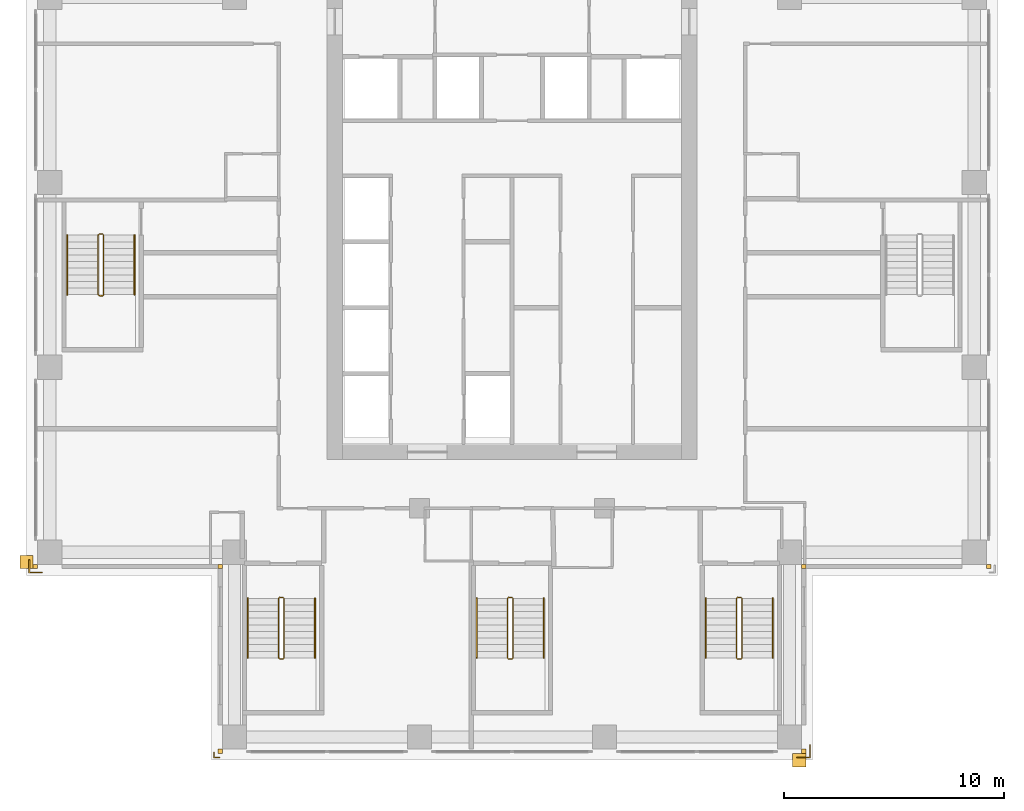
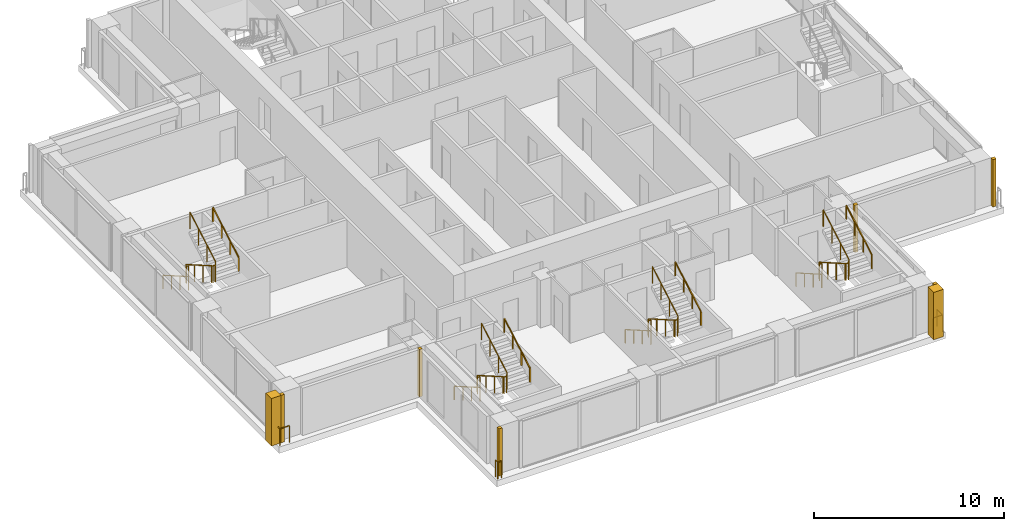
# One storey, part 14 of 16: 15 railings, 8 coverings.
"""IFC4 building model written with IfcOpenShell, lengths in metres."""

import ifcopenshell
import ifcopenshell.guid

model = None  # the IFC model being written
_history = None  # IfcOwnerHistory: only IFC2X3 demands one
_inside = {}  # id of a spatial element -> (the spatial element, [elements in it])
_under = {}  # id of a project, library or spatial element -> (it, [spatial elements below it])
_declared = {}  # id of a project -> (the project, [libraries it declares])
_typed = {}  # id of a type object -> (the type object, [elements of that type])
_made_of = {}  # id of a material, layer set ... -> (it, [elements and type objects made of it])


def new_model(schema):
    """Start an empty IFC model of exactly this schema.

    Asked for "IFC4X3", IfcOpenShell would pick the latest addendum, in which some entities
    have other attributes; the version numbers below select the first issue.
    IFC2X3 requires an IfcOwnerHistory on every rooted entity: one is made here for all.
    """
    global model, _history
    if schema == "IFC4X3":
        model = ifcopenshell.file(schema_version=(4, 3, 0, 0))
    else:
        model = ifcopenshell.file(schema=schema)
    _inside.clear()
    _under.clear()
    _declared.clear()
    _typed.clear()
    _made_of.clear()
    _history = None
    if model.schema == "IFC2X3":
        org = make("IfcOrganization", Name="unknown")
        user = make(
            "IfcPersonAndOrganization",
            ThePerson=make("IfcPerson", FamilyName="unknown"),
            TheOrganization=org,
        )
        app = make(
            "IfcApplication",
            ApplicationDeveloper=org,
            Version="unknown",
            ApplicationFullName="unknown",
            ApplicationIdentifier="unknown",
        )
        _history = make(
            "IfcOwnerHistory",
            OwningUser=user,
            OwningApplication=app,
            ChangeAction="ADDED",
            CreationDate=0,
        )
    return model


def make(cls, **values):
    """One entity of the class cls with the attributes given. An attribute that is None is left unset."""
    return model.create_entity(
        cls, **{name: value for name, value in values.items() if value is not None}
    )


def rooted(cls, **values):
    """An entity with a GlobalId (a new one), such as an element, a storey or a relation."""
    return make(cls, GlobalId=ifcopenshell.guid.new(), OwnerHistory=_history, **values)


def si_unit(unit_type, name, prefix=None):
    """IfcSIUnit, for example si_unit("LENGTHUNIT", "METRE", prefix="MILLI")."""
    return make("IfcSIUnit", UnitType=unit_type, Prefix=prefix, Name=name)


def assignment(units):
    """IfcUnitAssignment: the units of a project."""
    return None if units is None else make("IfcUnitAssignment", Units=units)


def point(xyz):
    """IfcCartesianPoint."""
    return None if xyz is None else make("IfcCartesianPoint", Coordinates=xyz)


def direction(xyz):
    """IfcDirection."""
    return None if xyz is None else make("IfcDirection", DirectionRatios=xyz)


def frame(location, z_axis=None, x_axis=None):
    """IfcAxis2Placement3D, a coordinate frame: its origin and axes. An axis left out is left unset."""
    return make(
        "IfcAxis2Placement3D",
        Location=point(location),
        Axis=direction(z_axis),
        RefDirection=direction(x_axis),
    )


def frame_2d(location, x_axis=None):
    """IfcAxis2Placement2D, a coordinate frame in the plane: its origin and x axis."""
    return make(
        "IfcAxis2Placement2D", Location=point(location), RefDirection=direction(x_axis)
    )


def origin():
    """The frame at (0, 0, 0) with its axes left unset."""
    return frame((0.0, 0.0, 0.0))


def origin_2d():
    """The frame at (0, 0) in the plane with its x axis left unset."""
    return frame_2d((0.0, 0.0))


def place(relative_to, where):
    """IfcLocalPlacement: puts the frame where relative to a parent placement (None: the world)."""
    return make(
        "IfcLocalPlacement", PlacementRelTo=relative_to, RelativePlacement=where
    )


def context(
    kind, dimensions, precision=None, world=None, true_north=None, identifier=None
):
    """IfcGeometricRepresentationContext, for example the 3D "Model" context."""
    return make(
        "IfcGeometricRepresentationContext",
        ContextIdentifier=identifier,
        ContextType=kind,
        CoordinateSpaceDimension=dimensions,
        Precision=precision,
        WorldCoordinateSystem=world,
        TrueNorth=true_north,
    )


def subcontext(parent, identifier, kind, view, scale=None):
    """IfcGeometricRepresentationSubContext, for example "Body" below "Model"."""
    return make(
        "IfcGeometricRepresentationSubContext",
        ContextIdentifier=identifier,
        ContextType=kind,
        ParentContext=parent,
        TargetScale=scale,
        TargetView=view,
    )


def project(units=None, contexts=None):
    """IfcProject with its units and contexts."""
    return rooted(
        "IfcProject",
        Name="project",
        RepresentationContexts=contexts,
        UnitsInContext=assignment(units),
    )


def spatial(cls, under=None, at=None, **own):
    """A site, building, storey or space (cls), placed at a placement, below another one or the project."""
    s = rooted(cls, ObjectPlacement=at, **own)
    if under is not None:
        _under.setdefault(under.id(), (under, []))[1].append(s)
    return s


def polyline(points):
    """IfcPolyline through the points."""
    return make("IfcPolyline", Points=[point(p) for p in points])


def profile(cls, at=None, kind="AREA", **sizes):
    """A parametric profile (cls). Its sizes go by their IFC names, for example OverallWidth=200.0."""
    return make(cls, ProfileType=kind, Position=at, **sizes)


def rectangle(**sizes):
    """IfcRectangleProfileDef."""
    return profile("IfcRectangleProfileDef", **sizes)


def outline(outer, holes=None, kind="AREA"):
    """IfcArbitraryClosedProfileDef: a profile drawn as a closed curve; with holes, ...WithVoids."""
    if holes is None:
        return make("IfcArbitraryClosedProfileDef", ProfileType=kind, OuterCurve=outer)
    return make(
        "IfcArbitraryProfileDefWithVoids",
        ProfileType=kind,
        OuterCurve=outer,
        InnerCurves=holes,
    )


def extrude(swept, where, along, depth):
    """IfcExtrudedAreaSolid: the profile swept, set in the frame where, extruded along a direction by depth."""
    return make(
        "IfcExtrudedAreaSolid",
        SweptArea=swept,
        Position=where,
        ExtrudedDirection=direction(along),
        Depth=depth,
    )


def shape(context_of_items, identifier, shape_type, items):
    """IfcShapeRepresentation: the items that make up one representation, for example the "Body"."""
    return make(
        "IfcShapeRepresentation",
        ContextOfItems=context_of_items,
        RepresentationIdentifier=identifier,
        RepresentationType=shape_type,
        Items=items,
    )


def material(Name=None, Category=None):
    """IfcMaterial."""
    return make("IfcMaterial", Name=Name, Category=Category)


def made_of(thing, what):
    """Note that an element or type object is made of a material, layer set ...; save() writes the relation."""
    if what is not None:
        _made_of.setdefault(what.id(), (what, []))[1].append(thing)
    return thing


def type_object(cls, material=None, **own):
    """A type object (cls), such as IfcWallType, which elements share."""
    return made_of(rooted(cls, **own), material)


def element(
    cls,
    number,
    at=None,
    inside=None,
    cuts=None,
    type_object=None,
    material=None,
    context=None,
    identifier="Body",
    shape_type=None,
    held_by="IfcProductDefinitionShape",
    body=None,
    shapes=None,
    **own,
):
    """One element of the class cls, such as IfcWall. Its Tag is "e" and its number.

    at: its placement. inside: the storey or other place that contains it. cuts: it is an
    opening in that element (IfcRelVoidsElement). A single representation is given by context,
    identifier, shape_type and body (its items); several are given by shapes. held_by: the class
    of the entity that holds the representations. save() writes the other relations.
    """
    e = rooted(cls, Tag="e%d" % number, ObjectPlacement=at, **own)
    if body is not None:
        shapes = [shape(context, identifier, shape_type, body)]
    if shapes is not None:
        e.Representation = make(held_by, Representations=shapes)
    if inside is not None:
        _inside.setdefault(inside.id(), (inside, []))[1].append(e)
    if cuts is not None:
        rooted(
            "IfcRelVoidsElement", RelatingBuildingElement=cuts, RelatedOpeningElement=e
        )
    if type_object is not None:
        _typed.setdefault(type_object.id(), (type_object, []))[1].append(e)
    return made_of(e, material)


def aggregate(whole, parts):
    """IfcRelAggregates: a whole, such as a stair, and the parts it consists of."""
    return rooted("IfcRelAggregates", RelatingObject=whole, RelatedObjects=parts)


def save(model, path):
    """Write the relations noted so far, then the file.

    IfcRelAggregates (storeys below a building ...), IfcRelContainedInSpatialStructure (elements
    in a storey), IfcRelDefinesByType, IfcRelAssociatesMaterial and IfcRelDeclares: one each for
    every whole, place, type object, material and project.
    """
    for whole, parts in _under.values():
        aggregate(whole, parts)
    for where, things in _inside.values():
        rooted(
            "IfcRelContainedInSpatialStructure",
            RelatedElements=things,
            RelatingStructure=where,
        )
    for kind, things in _typed.values():
        rooted("IfcRelDefinesByType", RelatedObjects=things, RelatingType=kind)
    for what, things in _made_of.values():
        rooted("IfcRelAssociatesMaterial", RelatedObjects=things, RelatingMaterial=what)
    for by, libraries in _declared.values():
        rooted("IfcRelDeclares", RelatingContext=by, RelatedDefinitions=libraries)
    model.write(path)


model = new_model("IFC4")

# Units and contexts
model_context = context("Model", 3, precision=1e-05, world=origin(), true_north=direction((0.0, 1.0)))
body_context = subcontext(model_context, "Body", "Model", "MODEL_VIEW")
ifc_project = project(units=[si_unit("LENGTHUNIT", "METRE"), si_unit("AREAUNIT", "SQUARE_METRE"), si_unit("VOLUMEUNIT", "CUBIC_METRE"), si_unit("PLANEANGLEUNIT", "RADIAN"), si_unit("MASSUNIT", "GRAM", prefix="KILO")], contexts=[model_context])

# Site, building, storey
site_placement = place(None, origin())
site = spatial("IfcSite", under=ifc_project, at=site_placement, CompositionType="ELEMENT")
building_placement = place(site_placement, origin())
building = spatial("IfcBuilding", under=site, at=building_placement, Name="Vermilion Ogive Tower", CompositionType="ELEMENT")
storey_placement = place(building_placement, frame((0.0, 0.0, 136.550048828125)))
storey = spatial("IfcBuildingStorey", under=building, at=storey_placement, Name="L34", CompositionType="ELEMENT", Elevation=136.550048828125)

# Railings
ifc_material_1 = material(Name="Stainless steel", Category="steel")
railing_type_1 = type_object("IfcRailingType", Name="Slab edge guard SG1", PredefinedType="GUARDRAIL", material=ifc_material_1)
railing_1_placement = place(storey_placement, frame((-13.300048828125, -21.929931640625, 0.0)))
element("IfcRailing", 1, at=railing_1_placement, inside=storey, type_object=railing_type_1, Name="L34 slab corner guard", PredefinedType="GUARDRAIL", context=body_context, shape_type="SweptSolid", body=[
    extrude(rectangle(XDim=0.050048828125, YDim=0.050048828125, at=origin_2d()), frame((0.0, 0.0, 1.0751953125), z_axis=(-1.0, 0.0, 0.0), x_axis=(0.0, -1.0, 0.0)), (0.0, 0.0, 1.0), 0.22998046875),
    extrude(rectangle(XDim=0.050048828125, YDim=0.050048828125, at=origin_2d()), frame((-0.22998046875, 0.0, 1.0751953125), z_axis=(0.0, 1.0, 0.0), x_axis=(-1.0, 0.0, 0.0)), (0.0, 0.0, 1.0), 0.22998046875),
    extrude(rectangle(XDim=0.050048828125, YDim=0.050048828125, at=origin_2d()), origin(), (0.0, 0.0, 1.0), 1.050048828125),
    extrude(rectangle(XDim=0.050048828125, YDim=0.050048828125, at=origin_2d()), frame((-0.22998046875, 0.0, 0.0)), (0.0, 0.0, 1.0), 1.050048828125),
    extrude(rectangle(XDim=0.050048828125, YDim=0.050048828125, at=origin_2d()), frame((-0.22998046875, 0.22998046875, 0.0)), (0.0, 0.0, 1.0), 1.050048828125),
])
railing_2_placement = place(storey_placement, frame((12.949951171875, -21.929931640625, 0.0)))
element("IfcRailing", 2, at=railing_2_placement, inside=storey, type_object=railing_type_1, Name="L34 slab corner guard", PredefinedType="GUARDRAIL", context=body_context, shape_type="SweptSolid", body=[
    extrude(rectangle(XDim=0.050048828125, YDim=0.050048828125, at=origin_2d()), frame((0.0, 0.0, 1.0751953125), z_axis=(1.0, 0.0, 0.0), x_axis=(0.0, 1.0, 0.0)), (0.0, 0.0, 1.0), 0.580078125),
    extrude(rectangle(XDim=0.050048828125, YDim=0.050048828125, at=origin_2d()), frame((0.580078125, 0.0, 1.0751953125), z_axis=(0.0, 1.0, 0.0), x_axis=(-1.0, 0.0, 0.0)), (0.0, 0.0, 1.0), 0.579833984375),
    extrude(rectangle(XDim=0.050048828125, YDim=0.050048828125, at=origin_2d()), origin(), (0.0, 0.0, 1.0), 1.050048828125),
    extrude(rectangle(XDim=0.050048828125, YDim=0.050048828125, at=origin_2d()), frame((0.580078125, 0.0, 0.0)), (0.0, 0.0, 1.0), 1.050048828125),
    extrude(rectangle(XDim=0.050048828125, YDim=0.050048828125, at=origin_2d()), frame((0.580078125, 0.579833984375, 0.0)), (0.0, 0.0, 1.0), 1.050048828125),
])
railing_3_placement = place(storey_placement, frame((-21.929931640625, -12.949951171875, 0.0)))
element("IfcRailing", 3, at=railing_3_placement, inside=storey, type_object=railing_type_1, Name="L34 slab corner guard", PredefinedType="GUARDRAIL", context=body_context, shape_type="SweptSolid", body=[
    extrude(rectangle(XDim=0.050048828125, YDim=0.050048828125, at=origin_2d()), frame((0.0, 0.0, 1.0751953125), z_axis=(0.0, -1.0, 0.0), x_axis=(1.0, 0.0, 0.0)), (0.0, 0.0, 1.0), 0.580078125),
    extrude(rectangle(XDim=0.050048828125, YDim=0.050048828125, at=origin_2d()), frame((0.0, -0.580078125, 1.0751953125), z_axis=(1.0, 0.0, 0.0), x_axis=(0.0, 1.0, 0.0)), (0.0, 0.0, 1.0), 0.579833984375),
    extrude(rectangle(XDim=0.050048828125, YDim=0.050048828125, at=origin_2d()), origin(), (0.0, 0.0, 1.0), 1.050048828125),
    extrude(rectangle(XDim=0.050048828125, YDim=0.050048828125, at=origin_2d()), frame((0.0, -0.580078125, 0.0)), (0.0, 0.0, 1.0), 1.050048828125),
    extrude(rectangle(XDim=0.050048828125, YDim=0.050048828125, at=origin_2d()), frame((0.579833984375, -0.580078125, 0.0)), (0.0, 0.0, 1.0), 1.050048828125),
])
ifc_material_2 = material(Name="Steel S355 painted", Category="steel")
railing_type_2 = type_object("IfcRailingType", Name="Stair guard 1100", PredefinedType="GUARDRAIL", material=ifc_material_2)
railing_4_placement = place(storey_placement, frame((-10.39990234375, -14.64990234375, 0.0)))
element("IfcRailing", 4, at=railing_4_placement, inside=storey, type_object=railing_type_2, Name="L34 ST3 stair guard 4", PredefinedType="GUARDRAIL", context=body_context, shape_type="SweptSolid", body=[
    extrude(rectangle(XDim=0.048095703125, YDim=0.048095703125, at=origin_2d()), frame((0.0, 0.0, 1.076171875), z_axis=(-1.0, 0.0, 0.0), x_axis=(0.0, -1.0, 0.0)), (0.0, 0.0, 1.0), 0.150146484375),
    extrude(rectangle(XDim=0.048095703125, YDim=0.048095703125, at=origin_2d()), frame((-0.150146484375, 0.0, 1.076171875), z_axis=(-0.268603158521, -0.268603158521, 0.925043072762), x_axis=(0.707106781187, -0.707106781187, 0.0)), (0.0, 0.0, 1.0), 0.186279296875),
    extrude(rectangle(XDim=0.048095703125, YDim=0.048095703125, at=origin_2d()), frame((-0.2001953125, -0.050048828125, 1.24853515625), z_axis=(0.0, -0.866903762492, 0.498475542607), x_axis=(1.0, 0.0, 0.0)), (0.0, 0.0, 1.0), 3.114501953125),
    extrude(rectangle(XDim=0.048095703125, YDim=0.048095703125, at=origin_2d()), frame((-0.2001953125, -2.75, 2.80078125), z_axis=(0.707106781187, -0.707106781187, 0.0), x_axis=(0.707106781187, 0.707106781187, 0.0)), (0.0, 0.0, 1.0), 0.07080078125),
    extrude(rectangle(XDim=0.048095703125, YDim=0.048095703125, at=origin_2d()), frame((-0.150146484375, -2.800048828125, 2.80078125), z_axis=(1.0, 0.0, 0.0), x_axis=(0.0, 1.0, 0.0)), (0.0, 0.0, 1.0), 0.150146484375),
    extrude(rectangle(XDim=0.048095703125, YDim=0.048095703125, at=origin_2d()), frame((0.0, -2.800048828125, 2.80078125), z_axis=(0.267062837333, 0.268371968888, 0.925556009775), x_axis=(-0.708833529934, 0.705375805398, 0.0)), (0.0, 0.0, 1.0), 0.1865234375),
    extrude(rectangle(XDim=0.048095703125, YDim=0.048095703125, at=origin_2d()), frame((0.0498046875, -2.75, 2.9736328125), z_axis=(0.0, 0.866903762492, 0.498475542607), x_axis=(-1.0, 0.0, 0.0)), (0.0, 0.0, 1.0), 3.114501953125),
    extrude(rectangle(XDim=0.0419921875, YDim=0.0419921875, at=origin_2d()), origin(), (0.0, 0.0, 1.0), 1.052001953125),
    extrude(rectangle(XDim=0.0419921875, YDim=0.0419921875, at=origin_2d()), frame((-0.150146484375, 0.0, 0.0)), (0.0, 0.0, 1.0), 1.052001953125),
    extrude(rectangle(XDim=0.0419921875, YDim=0.0419921875, at=origin_2d()), frame((-0.2001953125, -0.050048828125, 0.17236328125)), (0.0, 0.0, 1.0), 1.052001953125),
    extrude(rectangle(XDim=0.0419921875, YDim=0.0419921875, at=origin_2d()), frame((-0.2001953125, -0.949951171875, 0.68994140625)), (0.0, 0.0, 1.0), 1.052001953125),
    extrude(rectangle(XDim=0.0419921875, YDim=0.0419921875, at=origin_2d()), frame((-0.2001953125, -1.85009765625, 1.207275390625)), (0.0, 0.0, 1.0), 1.052001953125),
    extrude(rectangle(XDim=0.0419921875, YDim=0.0419921875, at=origin_2d()), frame((-0.2001953125, -2.75, 1.724853515625)), (0.0, 0.0, 1.0), 1.052001953125),
    extrude(rectangle(XDim=0.0419921875, YDim=0.0419921875, at=origin_2d()), frame((-0.150146484375, -2.800048828125, 1.724853515625)), (0.0, 0.0, 1.0), 1.052001953125),
    extrude(rectangle(XDim=0.0419921875, YDim=0.0419921875, at=origin_2d()), frame((0.0, -2.800048828125, 1.724853515625)), (0.0, 0.0, 1.0), 1.052001953125),
    extrude(rectangle(XDim=0.0419921875, YDim=0.0419921875, at=origin_2d()), frame((0.0498046875, -2.75, 1.8974609375)), (0.0, 0.0, 1.0), 1.052001953125),
    extrude(rectangle(XDim=0.0419921875, YDim=0.0419921875, at=origin_2d()), frame((0.0498046875, -1.85009765625, 2.4150390625)), (0.0, 0.0, 1.0), 1.052001953125),
    extrude(rectangle(XDim=0.0419921875, YDim=0.0419921875, at=origin_2d()), frame((0.0498046875, -0.949951171875, 2.932373046875)), (0.0, 0.0, 1.0), 1.052001953125),
    extrude(rectangle(XDim=0.0419921875, YDim=0.0419921875, at=origin_2d()), frame((0.0498046875, -0.050048828125, 3.449951171875)), (0.0, 0.0, 1.0), 1.052001953125),
])
railing_5_placement = place(storey_placement, frame((0.0, -14.64990234375, 0.0)))
element("IfcRailing", 5, at=railing_5_placement, inside=storey, type_object=railing_type_2, Name="L34 ST4 stair guard 4", PredefinedType="GUARDRAIL", context=body_context, shape_type="SweptSolid", body=[
    extrude(rectangle(XDim=0.048095703125, YDim=0.048095703125, at=origin_2d()), frame((0.0, 0.0, 1.076171875), z_axis=(-1.0, 0.0, 0.0), x_axis=(0.0, -1.0, 0.0)), (0.0, 0.0, 1.0), 0.14990234375),
    extrude(rectangle(XDim=0.048095703125, YDim=0.048095703125, at=origin_2d()), frame((-0.14990234375, 0.0, 1.076171875), z_axis=(-0.268603158521, -0.268603158521, 0.925043072762), x_axis=(0.707106781187, -0.707106781187, 0.0)), (0.0, 0.0, 1.0), 0.186279296875),
    extrude(rectangle(XDim=0.048095703125, YDim=0.048095703125, at=origin_2d()), frame((-0.199951171875, -0.050048828125, 1.24853515625), z_axis=(0.0, -0.866903762492, 0.498475542607), x_axis=(1.0, 0.0, 0.0)), (0.0, 0.0, 1.0), 3.114501953125),
    extrude(rectangle(XDim=0.048095703125, YDim=0.048095703125, at=origin_2d()), frame((-0.199951171875, -2.75, 2.80078125), z_axis=(0.707106781187, -0.707106781187, 0.0), x_axis=(0.707106781187, 0.707106781187, 0.0)), (0.0, 0.0, 1.0), 0.07080078125),
    extrude(rectangle(XDim=0.048095703125, YDim=0.048095703125, at=origin_2d()), frame((-0.14990234375, -2.800048828125, 2.80078125), z_axis=(1.0, 0.0, 0.0), x_axis=(0.0, 1.0, 0.0)), (0.0, 0.0, 1.0), 0.14990234375),
    extrude(rectangle(XDim=0.048095703125, YDim=0.048095703125, at=origin_2d()), frame((0.0, -2.800048828125, 2.80078125), z_axis=(0.268277960024, 0.268277960024, 0.925231793839), x_axis=(-0.707106781187, 0.707106781187, 0.0)), (0.0, 0.0, 1.0), 0.1865234375),
    extrude(rectangle(XDim=0.048095703125, YDim=0.048095703125, at=origin_2d()), frame((0.050048828125, -2.75, 2.9736328125), z_axis=(0.0, 0.866903762492, 0.498475542607), x_axis=(-1.0, 0.0, 0.0)), (0.0, 0.0, 1.0), 3.114501953125),
    extrude(rectangle(XDim=0.0419921875, YDim=0.0419921875, at=origin_2d()), origin(), (0.0, 0.0, 1.0), 1.052001953125),
    extrude(rectangle(XDim=0.0419921875, YDim=0.0419921875, at=origin_2d()), frame((-0.14990234375, 0.0, 0.0)), (0.0, 0.0, 1.0), 1.052001953125),
    extrude(rectangle(XDim=0.0419921875, YDim=0.0419921875, at=origin_2d()), frame((-0.199951171875, -0.050048828125, 0.17236328125)), (0.0, 0.0, 1.0), 1.052001953125),
    extrude(rectangle(XDim=0.0419921875, YDim=0.0419921875, at=origin_2d()), frame((-0.199951171875, -0.949951171875, 0.68994140625)), (0.0, 0.0, 1.0), 1.052001953125),
    extrude(rectangle(XDim=0.0419921875, YDim=0.0419921875, at=origin_2d()), frame((-0.199951171875, -1.85009765625, 1.207275390625)), (0.0, 0.0, 1.0), 1.052001953125),
    extrude(rectangle(XDim=0.0419921875, YDim=0.0419921875, at=origin_2d()), frame((-0.199951171875, -2.75, 1.724853515625)), (0.0, 0.0, 1.0), 1.052001953125),
    extrude(rectangle(XDim=0.0419921875, YDim=0.0419921875, at=origin_2d()), frame((-0.14990234375, -2.800048828125, 1.724853515625)), (0.0, 0.0, 1.0), 1.052001953125),
    extrude(rectangle(XDim=0.0419921875, YDim=0.0419921875, at=origin_2d()), frame((0.0, -2.800048828125, 1.724853515625)), (0.0, 0.0, 1.0), 1.052001953125),
    extrude(rectangle(XDim=0.0419921875, YDim=0.0419921875, at=origin_2d()), frame((0.050048828125, -2.75, 1.8974609375)), (0.0, 0.0, 1.0), 1.052001953125),
    extrude(rectangle(XDim=0.0419921875, YDim=0.0419921875, at=origin_2d()), frame((0.050048828125, -1.85009765625, 2.4150390625)), (0.0, 0.0, 1.0), 1.052001953125),
    extrude(rectangle(XDim=0.0419921875, YDim=0.0419921875, at=origin_2d()), frame((0.050048828125, -0.949951171875, 2.932373046875)), (0.0, 0.0, 1.0), 1.052001953125),
    extrude(rectangle(XDim=0.0419921875, YDim=0.0419921875, at=origin_2d()), frame((0.050048828125, -0.050048828125, 3.449951171875)), (0.0, 0.0, 1.0), 1.052001953125),
])
railing_6_placement = place(storey_placement, frame((10.39990234375, -14.64990234375, 0.0)))
element("IfcRailing", 6, at=railing_6_placement, inside=storey, type_object=railing_type_2, Name="L34 ST5 stair guard 4", PredefinedType="GUARDRAIL", context=body_context, shape_type="SweptSolid", body=[
    extrude(rectangle(XDim=0.048095703125, YDim=0.048095703125, at=origin_2d()), frame((0.0, 0.0, 1.076171875), z_axis=(-1.0, 0.0, 0.0), x_axis=(0.0, -1.0, 0.0)), (0.0, 0.0, 1.0), 0.14990234375),
    extrude(rectangle(XDim=0.048095703125, YDim=0.048095703125, at=origin_2d()), frame((-0.14990234375, 0.0, 1.076171875), z_axis=(-0.268603158521, -0.268603158521, 0.925043072762), x_axis=(0.707106781187, -0.707106781187, 0.0)), (0.0, 0.0, 1.0), 0.186279296875),
    extrude(rectangle(XDim=0.048095703125, YDim=0.048095703125, at=origin_2d()), frame((-0.199951171875, -0.050048828125, 1.24853515625), z_axis=(0.0, -0.866903762492, 0.498475542607), x_axis=(1.0, 0.0, 0.0)), (0.0, 0.0, 1.0), 3.114501953125),
    extrude(rectangle(XDim=0.048095703125, YDim=0.048095703125, at=origin_2d()), frame((-0.199951171875, -2.75, 2.80078125), z_axis=(0.707106781187, -0.707106781187, 0.0), x_axis=(0.707106781187, 0.707106781187, 0.0)), (0.0, 0.0, 1.0), 0.07080078125),
    extrude(rectangle(XDim=0.048095703125, YDim=0.048095703125, at=origin_2d()), frame((-0.14990234375, -2.800048828125, 2.80078125), z_axis=(1.0, 0.0, 0.0), x_axis=(0.0, 1.0, 0.0)), (0.0, 0.0, 1.0), 0.14990234375),
    extrude(rectangle(XDim=0.048095703125, YDim=0.048095703125, at=origin_2d()), frame((0.0, -2.800048828125, 2.80078125), z_axis=(0.268277960024, 0.268277960024, 0.925231793839), x_axis=(-0.707106781187, 0.707106781187, 0.0)), (0.0, 0.0, 1.0), 0.1865234375),
    extrude(rectangle(XDim=0.048095703125, YDim=0.048095703125, at=origin_2d()), frame((0.050048828125, -2.75, 2.9736328125), z_axis=(0.0, 0.866903762492, 0.498475542607), x_axis=(-1.0, 0.0, 0.0)), (0.0, 0.0, 1.0), 3.114501953125),
    extrude(rectangle(XDim=0.0419921875, YDim=0.0419921875, at=origin_2d()), origin(), (0.0, 0.0, 1.0), 1.052001953125),
    extrude(rectangle(XDim=0.0419921875, YDim=0.0419921875, at=origin_2d()), frame((-0.14990234375, 0.0, 0.0)), (0.0, 0.0, 1.0), 1.052001953125),
    extrude(rectangle(XDim=0.0419921875, YDim=0.0419921875, at=origin_2d()), frame((-0.199951171875, -0.050048828125, 0.17236328125)), (0.0, 0.0, 1.0), 1.052001953125),
    extrude(rectangle(XDim=0.0419921875, YDim=0.0419921875, at=origin_2d()), frame((-0.199951171875, -0.949951171875, 0.68994140625)), (0.0, 0.0, 1.0), 1.052001953125),
    extrude(rectangle(XDim=0.0419921875, YDim=0.0419921875, at=origin_2d()), frame((-0.199951171875, -1.85009765625, 1.207275390625)), (0.0, 0.0, 1.0), 1.052001953125),
    extrude(rectangle(XDim=0.0419921875, YDim=0.0419921875, at=origin_2d()), frame((-0.199951171875, -2.75, 1.724853515625)), (0.0, 0.0, 1.0), 1.052001953125),
    extrude(rectangle(XDim=0.0419921875, YDim=0.0419921875, at=origin_2d()), frame((-0.14990234375, -2.800048828125, 1.724853515625)), (0.0, 0.0, 1.0), 1.052001953125),
    extrude(rectangle(XDim=0.0419921875, YDim=0.0419921875, at=origin_2d()), frame((0.0, -2.800048828125, 1.724853515625)), (0.0, 0.0, 1.0), 1.052001953125),
    extrude(rectangle(XDim=0.0419921875, YDim=0.0419921875, at=origin_2d()), frame((0.050048828125, -2.75, 1.8974609375)), (0.0, 0.0, 1.0), 1.052001953125),
    extrude(rectangle(XDim=0.0419921875, YDim=0.0419921875, at=origin_2d()), frame((0.050048828125, -1.85009765625, 2.4150390625)), (0.0, 0.0, 1.0), 1.052001953125),
    extrude(rectangle(XDim=0.0419921875, YDim=0.0419921875, at=origin_2d()), frame((0.050048828125, -0.949951171875, 2.932373046875)), (0.0, 0.0, 1.0), 1.052001953125),
    extrude(rectangle(XDim=0.0419921875, YDim=0.0419921875, at=origin_2d()), frame((0.050048828125, -0.050048828125, 3.449951171875)), (0.0, 0.0, 1.0), 1.052001953125),
])
railing_7_placement = place(storey_placement, frame((-18.60009765625, 1.85009765625, 0.0)))
element("IfcRailing", 7, at=railing_7_placement, inside=storey, type_object=railing_type_2, Name="L34 ST9 stair guard 4", PredefinedType="GUARDRAIL", context=body_context, shape_type="SweptSolid", body=[
    extrude(rectangle(XDim=0.048095703125, YDim=0.048095703125, at=origin_2d()), frame((0.0, 0.0, 1.076171875), z_axis=(-1.0, 0.0, 0.0), x_axis=(0.0, -1.0, 0.0)), (0.0, 0.0, 1.0), 0.14990234375),
    extrude(rectangle(XDim=0.048095703125, YDim=0.048095703125, at=origin_2d()), frame((-0.14990234375, 0.0, 1.076171875), z_axis=(-0.268603158521, -0.268603158521, 0.925043072762), x_axis=(0.707106781187, -0.707106781187, 0.0)), (0.0, 0.0, 1.0), 0.186279296875),
    extrude(rectangle(XDim=0.048095703125, YDim=0.048095703125, at=origin_2d()), frame((-0.199951171875, -0.050048828125, 1.24853515625), z_axis=(0.0, -0.866903762492, 0.498475542607), x_axis=(1.0, 0.0, 0.0)), (0.0, 0.0, 1.0), 3.114501953125),
    extrude(rectangle(XDim=0.048095703125, YDim=0.048095703125, at=origin_2d()), frame((-0.199951171875, -2.75, 2.80078125), z_axis=(0.707106781187, -0.707106781187, 0.0), x_axis=(0.707106781187, 0.707106781187, 0.0)), (0.0, 0.0, 1.0), 0.07080078125),
    extrude(rectangle(XDim=0.048095703125, YDim=0.048095703125, at=origin_2d()), frame((-0.14990234375, -2.800048828125, 2.80078125), z_axis=(1.0, 0.0, 0.0), x_axis=(0.0, 1.0, 0.0)), (0.0, 0.0, 1.0), 0.14990234375),
    extrude(rectangle(XDim=0.048095703125, YDim=0.048095703125, at=origin_2d()), frame((0.0, -2.800048828125, 2.80078125), z_axis=(0.268277960024, 0.268277960024, 0.925231793839), x_axis=(-0.707106781187, 0.707106781187, 0.0)), (0.0, 0.0, 1.0), 0.1865234375),
    extrude(rectangle(XDim=0.048095703125, YDim=0.048095703125, at=origin_2d()), frame((0.050048828125, -2.75, 2.9736328125), z_axis=(0.0, 0.866903762492, 0.498475542607), x_axis=(-1.0, 0.0, 0.0)), (0.0, 0.0, 1.0), 3.114501953125),
    extrude(rectangle(XDim=0.0419921875, YDim=0.0419921875, at=origin_2d()), origin(), (0.0, 0.0, 1.0), 1.052001953125),
    extrude(rectangle(XDim=0.0419921875, YDim=0.0419921875, at=origin_2d()), frame((-0.14990234375, 0.0, 0.0)), (0.0, 0.0, 1.0), 1.052001953125),
    extrude(rectangle(XDim=0.0419921875, YDim=0.0419921875, at=origin_2d()), frame((-0.199951171875, -0.050048828125, 0.17236328125)), (0.0, 0.0, 1.0), 1.052001953125),
    extrude(rectangle(XDim=0.0419921875, YDim=0.0419921875, at=origin_2d()), frame((-0.199951171875, -0.949951171875, 0.68994140625)), (0.0, 0.0, 1.0), 1.052001953125),
    extrude(rectangle(XDim=0.0419921875, YDim=0.0419921875, at=origin_2d()), frame((-0.199951171875, -1.85009765625, 1.207275390625)), (0.0, 0.0, 1.0), 1.052001953125),
    extrude(rectangle(XDim=0.0419921875, YDim=0.0419921875, at=origin_2d()), frame((-0.199951171875, -2.75, 1.724853515625)), (0.0, 0.0, 1.0), 1.052001953125),
    extrude(rectangle(XDim=0.0419921875, YDim=0.0419921875, at=origin_2d()), frame((-0.14990234375, -2.800048828125, 1.724853515625)), (0.0, 0.0, 1.0), 1.052001953125),
    extrude(rectangle(XDim=0.0419921875, YDim=0.0419921875, at=origin_2d()), frame((0.0, -2.800048828125, 1.724853515625)), (0.0, 0.0, 1.0), 1.052001953125),
    extrude(rectangle(XDim=0.0419921875, YDim=0.0419921875, at=origin_2d()), frame((0.050048828125, -2.75, 1.8974609375)), (0.0, 0.0, 1.0), 1.052001953125),
    extrude(rectangle(XDim=0.0419921875, YDim=0.0419921875, at=origin_2d()), frame((0.050048828125, -1.85009765625, 2.4150390625)), (0.0, 0.0, 1.0), 1.052001953125),
    extrude(rectangle(XDim=0.0419921875, YDim=0.0419921875, at=origin_2d()), frame((0.050048828125, -0.949951171875, 2.932373046875)), (0.0, 0.0, 1.0), 1.052001953125),
    extrude(rectangle(XDim=0.0419921875, YDim=0.0419921875, at=origin_2d()), frame((0.050048828125, -0.050048828125, 3.449951171875)), (0.0, 0.0, 1.0), 1.052001953125),
])
ifc_material_3 = material(Name="Stainless steel", Category="steel")
railing_type_3 = type_object("IfcRailingType", Name="Stair handrail 900", PredefinedType="HANDRAIL", material=ifc_material_3)
railing_8_placement = place(storey_placement, frame((-12.0, -14.699951171875, 0.17236328125)))
element("IfcRailing", 8, at=railing_8_placement, inside=storey, type_object=railing_type_3, Name="L34 ST3 stair handrail 1", PredefinedType="HANDRAIL", context=body_context, shape_type="SweptSolid", body=[
    extrude(rectangle(XDim=0.048095703125, YDim=0.048095703125, at=origin_2d()), frame((0.0, 0.0, 0.8759765625), z_axis=(0.0, -0.866903762492, 0.498475542607), x_axis=(1.0, 0.0, 0.0)), (0.0, 0.0, 1.0), 3.114501953125),
    extrude(rectangle(XDim=0.0419921875, YDim=0.0419921875, at=origin_2d()), origin(), (0.0, 0.0, 1.0), 0.851806640625),
    extrude(rectangle(XDim=0.0419921875, YDim=0.0419921875, at=origin_2d()), frame((0.0, -0.89990234375, 0.517578125)), (0.0, 0.0, 1.0), 0.851806640625),
    extrude(rectangle(XDim=0.0419921875, YDim=0.0419921875, at=origin_2d()), frame((0.0, -1.800048828125, 1.034912109375)), (0.0, 0.0, 1.0), 0.851806640625),
    extrude(rectangle(XDim=0.0419921875, YDim=0.0419921875, at=origin_2d()), frame((0.0, -2.699951171875, 1.552490234375)), (0.0, 0.0, 1.0), 0.851806640625),
])
railing_9_placement = place(storey_placement, frame((-8.949951171875, -17.39990234375, 1.8974609375)))
element("IfcRailing", 9, at=railing_9_placement, inside=storey, type_object=railing_type_3, Name="L34 ST3 stair handrail 2", PredefinedType="HANDRAIL", context=body_context, shape_type="SweptSolid", body=[
    extrude(rectangle(XDim=0.048095703125, YDim=0.048095703125, at=origin_2d()), frame((0.0, 0.0, 0.8759765625), z_axis=(0.0, 0.866903762492, 0.498475542607), x_axis=(-1.0, 0.0, 0.0)), (0.0, 0.0, 1.0), 3.114501953125),
    extrude(rectangle(XDim=0.0419921875, YDim=0.0419921875, at=origin_2d()), origin(), (0.0, 0.0, 1.0), 0.851806640625),
    extrude(rectangle(XDim=0.0419921875, YDim=0.0419921875, at=origin_2d()), frame((0.0, 0.89990234375, 0.517578125)), (0.0, 0.0, 1.0), 0.851806640625),
    extrude(rectangle(XDim=0.0419921875, YDim=0.0419921875, at=origin_2d()), frame((0.0, 1.800048828125, 1.034912109375)), (0.0, 0.0, 1.0), 0.851806640625),
    extrude(rectangle(XDim=0.0419921875, YDim=0.0419921875, at=origin_2d()), frame((0.0, 2.699951171875, 1.552490234375)), (0.0, 0.0, 1.0), 0.851806640625),
])
railing_10_placement = place(storey_placement, frame((-1.60009765625, -14.699951171875, 0.17236328125)))
element("IfcRailing", 10, at=railing_10_placement, inside=storey, type_object=railing_type_3, Name="L34 ST4 stair handrail 1", PredefinedType="HANDRAIL", context=body_context, shape_type="SweptSolid", body=[
    extrude(rectangle(XDim=0.048095703125, YDim=0.048095703125, at=origin_2d()), frame((0.0, 0.0, 0.8759765625), z_axis=(0.0, -0.866903762492, 0.498475542607), x_axis=(1.0, 0.0, 0.0)), (0.0, 0.0, 1.0), 3.114501953125),
    extrude(rectangle(XDim=0.0419921875, YDim=0.0419921875, at=origin_2d()), origin(), (0.0, 0.0, 1.0), 0.851806640625),
    extrude(rectangle(XDim=0.0419921875, YDim=0.0419921875, at=origin_2d()), frame((0.0, -0.89990234375, 0.517578125)), (0.0, 0.0, 1.0), 0.851806640625),
    extrude(rectangle(XDim=0.0419921875, YDim=0.0419921875, at=origin_2d()), frame((0.0, -1.800048828125, 1.034912109375)), (0.0, 0.0, 1.0), 0.851806640625),
    extrude(rectangle(XDim=0.0419921875, YDim=0.0419921875, at=origin_2d()), frame((0.0, -2.699951171875, 1.552490234375)), (0.0, 0.0, 1.0), 0.851806640625),
])
railing_11_placement = place(storey_placement, frame((1.449951171875, -17.39990234375, 1.8974609375)))
element("IfcRailing", 11, at=railing_11_placement, inside=storey, type_object=railing_type_3, Name="L34 ST4 stair handrail 2", PredefinedType="HANDRAIL", context=body_context, shape_type="SweptSolid", body=[
    extrude(rectangle(XDim=0.048095703125, YDim=0.048095703125, at=origin_2d()), frame((0.0, 0.0, 0.8759765625), z_axis=(0.0, 0.866903762492, 0.498475542607), x_axis=(-1.0, 0.0, 0.0)), (0.0, 0.0, 1.0), 3.114501953125),
    extrude(rectangle(XDim=0.0419921875, YDim=0.0419921875, at=origin_2d()), origin(), (0.0, 0.0, 1.0), 0.851806640625),
    extrude(rectangle(XDim=0.0419921875, YDim=0.0419921875, at=origin_2d()), frame((0.0, 0.89990234375, 0.517578125)), (0.0, 0.0, 1.0), 0.851806640625),
    extrude(rectangle(XDim=0.0419921875, YDim=0.0419921875, at=origin_2d()), frame((0.0, 1.800048828125, 1.034912109375)), (0.0, 0.0, 1.0), 0.851806640625),
    extrude(rectangle(XDim=0.0419921875, YDim=0.0419921875, at=origin_2d()), frame((0.0, 2.699951171875, 1.552490234375)), (0.0, 0.0, 1.0), 0.851806640625),
])
railing_12_placement = place(storey_placement, frame((8.800048828125, -14.699951171875, 0.17236328125)))
element("IfcRailing", 12, at=railing_12_placement, inside=storey, type_object=railing_type_3, Name="L34 ST5 stair handrail 1", PredefinedType="HANDRAIL", context=body_context, shape_type="SweptSolid", body=[
    extrude(rectangle(XDim=0.048095703125, YDim=0.048095703125, at=origin_2d()), frame((0.0, 0.0, 0.8759765625), z_axis=(0.0, -0.866903762492, 0.498475542607), x_axis=(1.0, 0.0, 0.0)), (0.0, 0.0, 1.0), 3.114501953125),
    extrude(rectangle(XDim=0.0419921875, YDim=0.0419921875, at=origin_2d()), origin(), (0.0, 0.0, 1.0), 0.851806640625),
    extrude(rectangle(XDim=0.0419921875, YDim=0.0419921875, at=origin_2d()), frame((0.0, -0.89990234375, 0.517578125)), (0.0, 0.0, 1.0), 0.851806640625),
    extrude(rectangle(XDim=0.0419921875, YDim=0.0419921875, at=origin_2d()), frame((0.0, -1.800048828125, 1.034912109375)), (0.0, 0.0, 1.0), 0.851806640625),
    extrude(rectangle(XDim=0.0419921875, YDim=0.0419921875, at=origin_2d()), frame((0.0, -2.699951171875, 1.552490234375)), (0.0, 0.0, 1.0), 0.851806640625),
])
railing_13_placement = place(storey_placement, frame((11.85009765625, -17.39990234375, 1.8974609375)))
element("IfcRailing", 13, at=railing_13_placement, inside=storey, type_object=railing_type_3, Name="L34 ST5 stair handrail 2", PredefinedType="HANDRAIL", context=body_context, shape_type="SweptSolid", body=[
    extrude(rectangle(XDim=0.048095703125, YDim=0.048095703125, at=origin_2d()), frame((0.0, 0.0, 0.8759765625), z_axis=(0.0, 0.866903762492, 0.498475542607), x_axis=(-1.0, 0.0, 0.0)), (0.0, 0.0, 1.0), 3.114501953125),
    extrude(rectangle(XDim=0.0419921875, YDim=0.0419921875, at=origin_2d()), origin(), (0.0, 0.0, 1.0), 0.851806640625),
    extrude(rectangle(XDim=0.0419921875, YDim=0.0419921875, at=origin_2d()), frame((0.0, 0.89990234375, 0.517578125)), (0.0, 0.0, 1.0), 0.851806640625),
    extrude(rectangle(XDim=0.0419921875, YDim=0.0419921875, at=origin_2d()), frame((0.0, 1.800048828125, 1.034912109375)), (0.0, 0.0, 1.0), 0.851806640625),
    extrude(rectangle(XDim=0.0419921875, YDim=0.0419921875, at=origin_2d()), frame((0.0, 2.699951171875, 1.552490234375)), (0.0, 0.0, 1.0), 0.851806640625),
])
railing_14_placement = place(storey_placement, frame((-20.199951171875, 1.800048828125, 0.17236328125)))
element("IfcRailing", 14, at=railing_14_placement, inside=storey, type_object=railing_type_3, Name="L34 ST9 stair handrail 1", PredefinedType="HANDRAIL", context=body_context, shape_type="SweptSolid", body=[
    extrude(rectangle(XDim=0.048095703125, YDim=0.048095703125, at=origin_2d()), frame((0.0, 0.0, 0.8759765625), z_axis=(0.0, -0.866903762492, 0.498475542607), x_axis=(1.0, 0.0, 0.0)), (0.0, 0.0, 1.0), 3.114501953125),
    extrude(rectangle(XDim=0.0419921875, YDim=0.0419921875, at=origin_2d()), origin(), (0.0, 0.0, 1.0), 0.851806640625),
    extrude(rectangle(XDim=0.0419921875, YDim=0.0419921875, at=origin_2d()), frame((0.0, -0.89990234375, 0.517578125)), (0.0, 0.0, 1.0), 0.851806640625),
    extrude(rectangle(XDim=0.0419921875, YDim=0.0419921875, at=origin_2d()), frame((0.0, -1.800048828125, 1.034912109375)), (0.0, 0.0, 1.0), 0.851806640625),
    extrude(rectangle(XDim=0.0419921875, YDim=0.0419921875, at=origin_2d()), frame((0.0, -2.699951171875, 1.552490234375)), (0.0, 0.0, 1.0), 0.851806640625),
])
railing_15_placement = place(storey_placement, frame((-17.14990234375, -0.89990234375, 1.8974609375)))
element("IfcRailing", 15, at=railing_15_placement, inside=storey, type_object=railing_type_3, Name="L34 ST9 stair handrail 2", PredefinedType="HANDRAIL", context=body_context, shape_type="SweptSolid", body=[
    extrude(rectangle(XDim=0.048095703125, YDim=0.048095703125, at=origin_2d()), frame((0.0, 0.0, 0.8759765625), z_axis=(0.0, 0.866903762492, 0.498475542607), x_axis=(-1.0, 0.0, 0.0)), (0.0, 0.0, 1.0), 3.114501953125),
    extrude(rectangle(XDim=0.0419921875, YDim=0.0419921875, at=origin_2d()), origin(), (0.0, 0.0, 1.0), 0.851806640625),
    extrude(rectangle(XDim=0.0419921875, YDim=0.0419921875, at=origin_2d()), frame((0.0, 0.89990234375, 0.517578125)), (0.0, 0.0, 1.0), 0.851806640625),
    extrude(rectangle(XDim=0.0419921875, YDim=0.0419921875, at=origin_2d()), frame((0.0, 1.800048828125, 1.034912109375)), (0.0, 0.0, 1.0), 0.851806640625),
    extrude(rectangle(XDim=0.0419921875, YDim=0.0419921875, at=origin_2d()), frame((0.0, 2.699951171875, 1.552490234375)), (0.0, 0.0, 1.0), 0.851806640625),
])

# Coverings
ifc_material_4 = material(Name="Stone cladding", Category="masonry")
covering_type_1 = type_object("IfcCoveringType", Name="Stone corner buttress", PredefinedType="CLADDING", material=ifc_material_4)
covering_1_placement = place(storey_placement, origin())
element("IfcCovering", 16, at=covering_1_placement, inside=storey, type_object=covering_type_1, Name="Stone crease pier SK", PredefinedType="CLADDING", context=body_context, shape_type="SweptSolid", body=[
    extrude(outline(polyline([(12.75, -22.35009765625), (13.35009765625, -22.35009765625), (13.35009765625, -21.75), (12.75, -21.75), (12.75, -22.35009765625)])), origin(), (0.0, 0.0, 1.0), 3.050048828125),
])
covering_2_placement = place(storey_placement, origin())
element("IfcCovering", 17, at=covering_2_placement, inside=storey, type_object=covering_type_1, Name="Stone crease pier WK", PredefinedType="CLADDING", context=body_context, shape_type="SweptSolid", body=[
    extrude(outline(polyline([(-22.35009765625, -12.75), (-22.35009765625, -13.35009765625), (-21.75, -13.35009765625), (-21.75, -12.75), (-22.35009765625, -12.75)])), origin(), (0.0, 0.0, 1.0), 3.050048828125),
])
ifc_material_5 = material(Name="Stone cladding", Category="masonry")
covering_type_2 = type_object("IfcCoveringType", Name="Stone pier", PredefinedType="CLADDING", material=ifc_material_5)
covering_3_placement = place(storey_placement, origin())
element("IfcCovering", 18, at=covering_3_placement, inside=storey, type_object=covering_type_2, Name="Stone corner pier SE1", PredefinedType="CLADDING", context=body_context, shape_type="SweptSolid", body=[
    extrude(outline(polyline([(13.14990234375, -21.75), (13.14990234375, -21.550048828125), (13.35009765625, -21.550048828125), (13.35009765625, -21.75), (13.14990234375, -21.75)])), origin(), (0.0, 0.0, 1.0), 3.050048828125),
])
covering_4_placement = place(storey_placement, origin())
element("IfcCovering", 19, at=covering_4_placement, inside=storey, type_object=covering_type_2, Name="Stone corner pier X1E1", PredefinedType="CLADDING", context=body_context, shape_type="SweptSolid", body=[
    extrude(outline(polyline([(13.14990234375, -13.14990234375), (13.35009765625, -13.14990234375), (13.35009765625, -13.35009765625), (13.14990234375, -13.35009765625), (13.14990234375, -13.14990234375)])), origin(), (0.0, 0.0, 1.0), 3.050048828125),
])
covering_5_placement = place(storey_placement, origin())
element("IfcCovering", 20, at=covering_5_placement, inside=storey, type_object=covering_type_2, Name="Stone corner pier X2E1", PredefinedType="CLADDING", context=body_context, shape_type="SweptSolid", body=[
    extrude(outline(polyline([(21.550048828125, -13.35009765625), (21.550048828125, -13.14990234375), (21.75, -13.14990234375), (21.75, -13.35009765625), (21.550048828125, -13.35009765625)])), origin(), (0.0, 0.0, 1.0), 3.050048828125),
])
covering_6_placement = place(storey_placement, origin())
element("IfcCovering", 21, at=covering_6_placement, inside=storey, type_object=covering_type_2, Name="Stone corner pier WE1", PredefinedType="CLADDING", context=body_context, shape_type="SweptSolid", body=[
    extrude(outline(polyline([(-21.75, -13.14990234375), (-21.550048828125, -13.14990234375), (-21.550048828125, -13.35009765625), (-21.75, -13.35009765625), (-21.75, -13.14990234375)])), origin(), (0.0, 0.0, 1.0), 3.050048828125),
])
covering_7_placement = place(storey_placement, origin())
element("IfcCovering", 22, at=covering_7_placement, inside=storey, type_object=covering_type_2, Name="Stone corner pier X7E1", PredefinedType="CLADDING", context=body_context, shape_type="SweptSolid", body=[
    extrude(outline(polyline([(-13.14990234375, -13.14990234375), (-13.14990234375, -13.35009765625), (-13.35009765625, -13.35009765625), (-13.35009765625, -13.14990234375), (-13.14990234375, -13.14990234375)])), origin(), (0.0, 0.0, 1.0), 3.050048828125),
])
covering_8_placement = place(storey_placement, origin())
element("IfcCovering", 23, at=covering_8_placement, inside=storey, type_object=covering_type_2, Name="Stone corner pier X8E1", PredefinedType="CLADDING", context=body_context, shape_type="SweptSolid", body=[
    extrude(outline(polyline([(-13.35009765625, -21.550048828125), (-13.14990234375, -21.550048828125), (-13.14990234375, -21.75), (-13.35009765625, -21.75), (-13.35009765625, -21.550048828125)])), origin(), (0.0, 0.0, 1.0), 3.050048828125),
])

save(model, "model.ifc")
